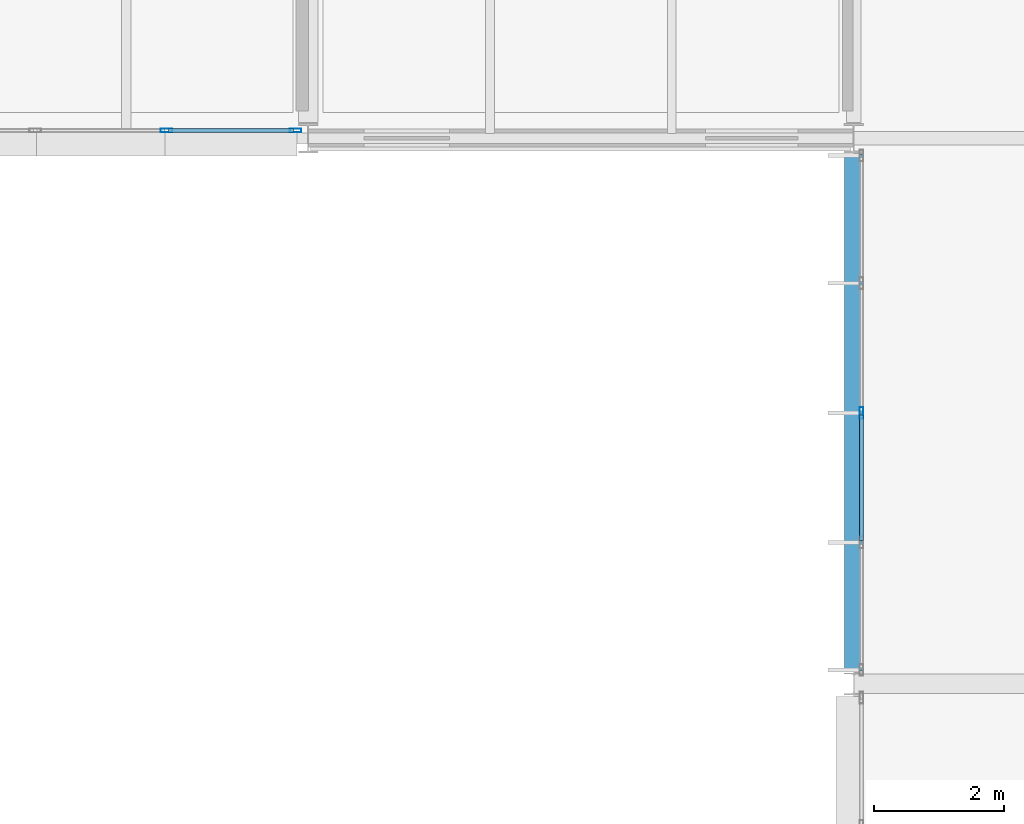
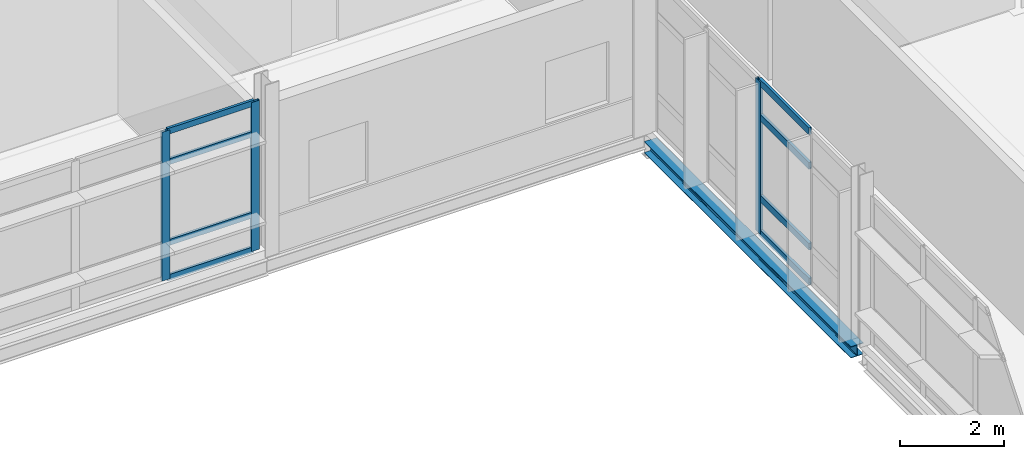
# One storey, part 67 of 131: 11 members, 1 beam, 2 elements without a shape of their own.
"""IFC4 building model written with IfcOpenShell, lengths in metres."""

from ifc_helpers import new_model, si_unit, direction, frame, origin, origin_2d, place, context, subcontext, project, spatial, hollow_rectangle, i_section, extrude, material, material_profile, profile_set, type_object, element, aggregate, save


model = new_model("IFC4")

# Units and contexts
model_context = context("Model", 3, precision=1e-05, world=origin(), true_north=direction((0.0, 1.0)))
body_context = subcontext(model_context, "Body", "Model", "MODEL_VIEW")
ifc_project = project(units=[si_unit("LENGTHUNIT", "METRE"), si_unit("AREAUNIT", "SQUARE_METRE"), si_unit("VOLUMEUNIT", "CUBIC_METRE"), si_unit("PLANEANGLEUNIT", "RADIAN"), si_unit("MASSUNIT", "GRAM", prefix="KILO")], contexts=[model_context])

# Site, building, storey
site_placement = place(None, origin())
site = spatial("IfcSite", under=ifc_project, at=site_placement, CompositionType="ELEMENT")
building_placement = place(site_placement, origin())
building = spatial("IfcBuilding", under=site, at=building_placement, Name="Mersafa Astral City Hall", CompositionType="ELEMENT")
storey_placement = place(building_placement, frame((0.0, 0.0, 13.949951171875)))
storey = spatial("IfcBuildingStorey", under=building, at=storey_placement, Name="L03", CompositionType="ELEMENT", Elevation=13.949951171875)

# Curtain wall, members
ifc_material_1 = material(Name="Anodised bronze aluminium framing", Category="aluminium")
curtain_wall_type_1 = type_object("IfcCurtainWallType", Name="ENV-CW-2", PredefinedType="USERDEFINED", material=ifc_material_1)
curtain_wall_1_placement = place(storey_placement, origin())
curtain_wall_1 = element("IfcCurtainWall", 1, at=curtain_wall_1_placement, inside=storey, type_object=curtain_wall_type_1, Name="L03 Unitised solar curtain wall 181", ObjectType="UNITISED CURTAIN WALL", PredefinedType="USERDEFINED")
ifc_material_profile_1 = material_profile(ifc_material_1, hollow_rectangle(XDim=0.06005859375, YDim=0.179931640625, WallThickness=0.00390625, at=origin_2d()), Name="RHS 60x180x4")
ifc_profile_set_1 = profile_set([ifc_material_profile_1], Name="Anodised bronze aluminium framing")
member_type_1 = type_object("IfcMemberType", Name="ENV-CW-MUL-1", PredefinedType="MULLION", material=ifc_profile_set_1)
member_1_placement = place(storey_placement, frame((90.218994140625, 117.719970703125, -0.001953125), z_axis=(0.0, 0.0, 1.0), x_axis=(0.0, 1.0, 0.0)))
member_1 = element("IfcMember", 2, at=member_1_placement, type_object=member_type_1, Name="CW-2 mullion 4", PredefinedType="MULLION", context=body_context, shape_type="SweptSolid", body=[
    extrude(hollow_rectangle(XDim=0.06005859375, YDim=0.179931640625, WallThickness=0.00390625, at=origin_2d()), origin(), (0.0, 0.0, 1.0), 3.50390625),
])
member_2_placement = place(storey_placement, frame((92.2080078125, 117.719970703125, -0.001953125), z_axis=(0.0, 0.0, 1.0), x_axis=(0.0, 1.0, 0.0)))
member_2 = element("IfcMember", 3, at=member_2_placement, type_object=member_type_1, Name="CW-2 mullion 5", PredefinedType="MULLION", context=body_context, shape_type="SweptSolid", body=[
    extrude(hollow_rectangle(XDim=0.06005859375, YDim=0.179931640625, WallThickness=0.00390625, at=origin_2d()), origin(), (0.0, 0.0, 1.0), 3.50390625),
])

# Curtain wall, member
curtain_wall_type_2 = type_object("IfcCurtainWallType", Name="ENV-CW-3", PredefinedType="USERDEFINED", material=ifc_material_1)
curtain_wall_2_placement = place(storey_placement, origin())
curtain_wall_2 = element("IfcCurtainWall", 4, at=curtain_wall_2_placement, inside=storey, type_object=curtain_wall_type_2, Name="L03 Unitised solar curtain wall 182", ObjectType="UNITISED CURTAIN WALL", PredefinedType="USERDEFINED")
member_3_placement = place(storey_placement, frame((100.919921875, 113.37255859375, -0.001953125), z_axis=(0.0, 0.0, 1.0), x_axis=(1.0, 0.0, 0.0)))
member_3 = element("IfcMember", 5, at=member_3_placement, type_object=member_type_1, Name="CW-3 mullion 3", PredefinedType="MULLION", context=body_context, shape_type="SweptSolid", body=[
    extrude(hollow_rectangle(XDim=0.06005859375, YDim=0.179931640625, WallThickness=0.00390625, at=origin_2d()), origin(), (0.0, 0.0, 1.0), 3.593994140625),
])

# Member
ifc_material_profile_2 = material_profile(ifc_material_1, hollow_rectangle(XDim=0.06005859375, YDim=0.139892578125, WallThickness=0.00390625, at=origin_2d()), Name="RHS 60x140x4")
ifc_profile_set_2 = profile_set([ifc_material_profile_2], Name="Anodised bronze aluminium framing")
member_type_2 = type_object("IfcMemberType", Name="ENV-CW-TRN-1", PredefinedType="USERDEFINED", material=ifc_profile_set_2)
member_4_placement = place(storey_placement, frame((90.2490234375, 117.719970703125, 0.028076171875), z_axis=(1.0, 0.0, 0.0), x_axis=(0.0, 1.0, 0.0)))
member_4 = element("IfcMember", 6, at=member_4_placement, type_object=member_type_2, Name="CW-2 transom 4.1", ObjectType="TRANSOM", PredefinedType="USERDEFINED", context=body_context, shape_type="SweptSolid", body=[
    extrude(hollow_rectangle(XDim=0.06005859375, YDim=0.139892578125, WallThickness=0.00390625, at=origin_2d()), origin(), (0.0, 0.0, 1.0), 1.928955078125),
])

member_5_placement = place(storey_placement, frame((90.2490234375, 117.719970703125, 0.85009765625), z_axis=(1.0, 0.0, 0.0), x_axis=(0.0, 1.0, 0.0)))
member_5 = element("IfcMember", 7, at=member_5_placement, type_object=member_type_2, Name="CW-2 transom 4.2", ObjectType="TRANSOM", PredefinedType="USERDEFINED", context=body_context, shape_type="SweptSolid", body=[
    extrude(hollow_rectangle(XDim=0.06005859375, YDim=0.139892578125, WallThickness=0.00390625, at=origin_2d()), origin(), (0.0, 0.0, 1.0), 1.928955078125),
])

member_6_placement = place(storey_placement, frame((90.2490234375, 117.719970703125, 2.75), z_axis=(1.0, 0.0, 0.0), x_axis=(0.0, 1.0, 0.0)))
member_6 = element("IfcMember", 8, at=member_6_placement, type_object=member_type_2, Name="CW-2 transom 4.3", ObjectType="TRANSOM", PredefinedType="USERDEFINED", context=body_context, shape_type="SweptSolid", body=[
    extrude(hollow_rectangle(XDim=0.06005859375, YDim=0.139892578125, WallThickness=0.00390625, at=origin_2d()), origin(), (0.0, 0.0, 1.0), 1.928955078125),
])

member_7_placement = place(storey_placement, frame((90.2490234375, 117.719970703125, 3.47216796875), z_axis=(1.0, 0.0, 0.0), x_axis=(0.0, 1.0, 0.0)))
member_7 = element("IfcMember", 9, at=member_7_placement, type_object=member_type_2, Name="CW-2 transom 4.4", ObjectType="TRANSOM", PredefinedType="USERDEFINED", context=body_context, shape_type="SweptSolid", body=[
    extrude(hollow_rectangle(XDim=0.06005859375, YDim=0.139892578125, WallThickness=0.00390625, at=origin_2d()), origin(), (0.0, 0.0, 1.0), 1.928955078125),
])

aggregate(curtain_wall_1, [member_1, member_2, member_4, member_5, member_6, member_7])

ifc_material_profile_3 = material_profile(ifc_material_1, hollow_rectangle(XDim=0.06005859375, YDim=0.159912109375, WallThickness=0.00390625, at=origin_2d()), Name="RHS 60x160x4")
ifc_profile_set_3 = profile_set([ifc_material_profile_3], Name="Anodised bronze aluminium framing")
member_type_3 = type_object("IfcMemberType", Name="ENV-CW-TRN-2", PredefinedType="USERDEFINED", material=ifc_profile_set_3)
member_8_placement = place(storey_placement, frame((100.919921875, 113.342529296875, 0.028076171875), z_axis=(0.0, -1.0, 0.0), x_axis=(1.0, 0.0, 0.0)))
member_8 = element("IfcMember", 10, at=member_8_placement, type_object=member_type_3, Name="CW-3 transom 3.1", ObjectType="TRANSOM", PredefinedType="USERDEFINED", context=body_context, shape_type="SweptSolid", body=[
    extrude(hollow_rectangle(XDim=0.06005859375, YDim=0.159912109375, WallThickness=0.00390625, at=origin_2d()), origin(), (0.0, 0.0, 1.0), 1.935302734375),
])

member_9_placement = place(storey_placement, frame((100.919921875, 113.342529296875, 0.85009765625), z_axis=(0.0, -1.0, 0.0), x_axis=(1.0, 0.0, 0.0)))
member_9 = element("IfcMember", 11, at=member_9_placement, type_object=member_type_3, Name="CW-3 transom 3.2", ObjectType="TRANSOM", PredefinedType="USERDEFINED", context=body_context, shape_type="SweptSolid", body=[
    extrude(hollow_rectangle(XDim=0.06005859375, YDim=0.159912109375, WallThickness=0.00390625, at=origin_2d()), origin(), (0.0, 0.0, 1.0), 1.935302734375),
])

member_10_placement = place(storey_placement, frame((100.919921875, 113.342529296875, 2.75), z_axis=(0.0, -1.0, 0.0), x_axis=(1.0, 0.0, 0.0)))
member_10 = element("IfcMember", 12, at=member_10_placement, type_object=member_type_3, Name="CW-3 transom 3.3", ObjectType="TRANSOM", PredefinedType="USERDEFINED", context=body_context, shape_type="SweptSolid", body=[
    extrude(hollow_rectangle(XDim=0.06005859375, YDim=0.159912109375, WallThickness=0.00390625, at=origin_2d()), origin(), (0.0, 0.0, 1.0), 1.935302734375),
])

member_11_placement = place(storey_placement, frame((100.919921875, 113.342529296875, 3.56201171875), z_axis=(0.0, -1.0, 0.0), x_axis=(1.0, 0.0, 0.0)))
member_11 = element("IfcMember", 13, at=member_11_placement, type_object=member_type_3, Name="CW-3 transom 3.4", ObjectType="TRANSOM", PredefinedType="USERDEFINED", context=body_context, shape_type="SweptSolid", body=[
    extrude(hollow_rectangle(XDim=0.06005859375, YDim=0.159912109375, WallThickness=0.00390625, at=origin_2d()), origin(), (0.0, 0.0, 1.0), 1.935302734375),
])

aggregate(curtain_wall_2, [member_3, member_8, member_9, member_10, member_11])

# Beam
ifc_material_2 = material(Name="Steel S355", Category="steel")
ifc_material_profile_4 = material_profile(ifc_material_2, i_section(OverallWidth=0.280029296875, OverallDepth=0.27001953125, WebThickness=0.008056640625, FlangeThickness=0.012939453125, FilletRadius=0.02392578125, at=origin_2d()), Name="HEA 280")
ifc_profile_set_4 = profile_set([ifc_material_profile_4], Name="Steel S355")
beam_type = type_object("IfcBeamType", Name="STR-BM-SPANDREL-HEA280", PredefinedType="SPANDREL", material=ifc_profile_set_4)
beam_placement = place(storey_placement, frame((100.800048828125, 109.39501953125, -0.3349609375), z_axis=(0.0, 1.0, 0.0), x_axis=(-1.0, 0.0, 0.0)))
element("IfcBeam", 14, at=beam_placement, inside=storey, type_object=beam_type, Name="L03 Primary girder Y 12-13", PredefinedType="SPANDREL", context=body_context, shape_type="SweptSolid", body=[
    extrude(i_section(OverallWidth=0.280029296875, OverallDepth=0.27001953125, WebThickness=0.008056640625, FlangeThickness=0.012939453125, FilletRadius=0.02392578125, at=origin_2d()), origin(), (0.0, 0.0, 1.0), 7.9599609375),
])

save(model, "model.ifc")
